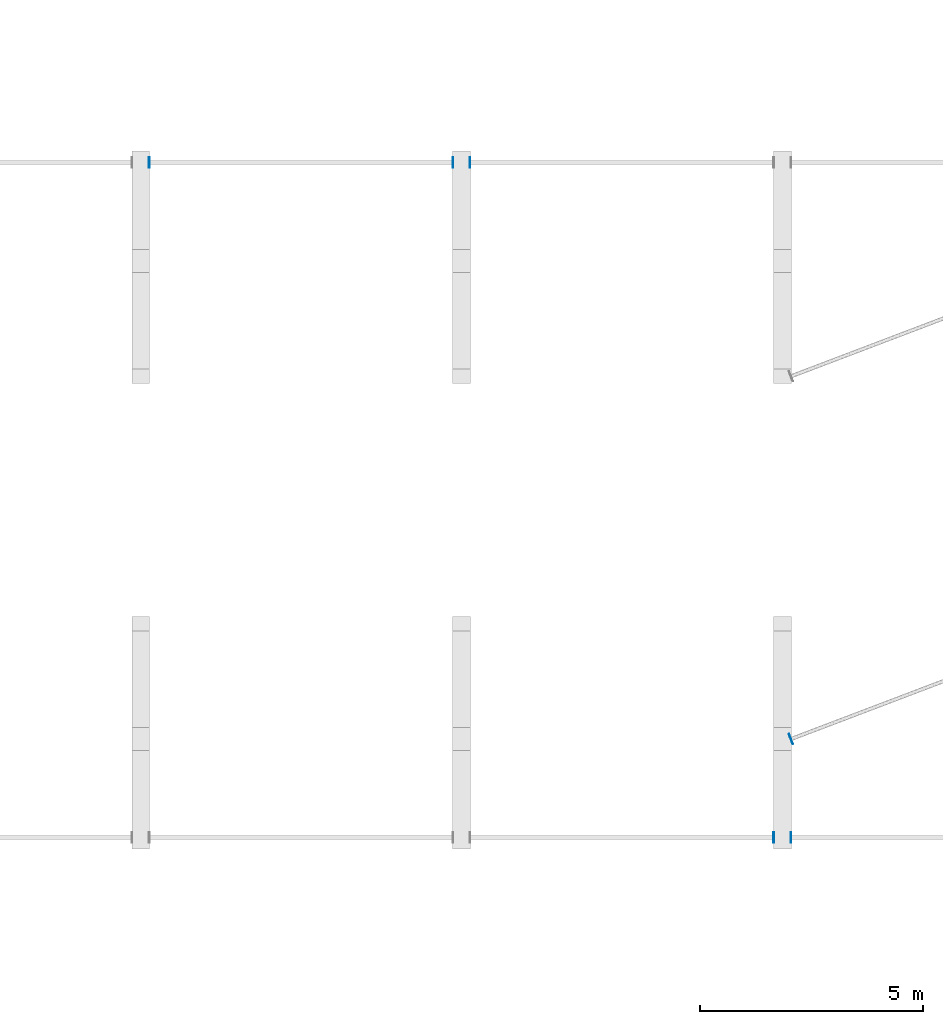
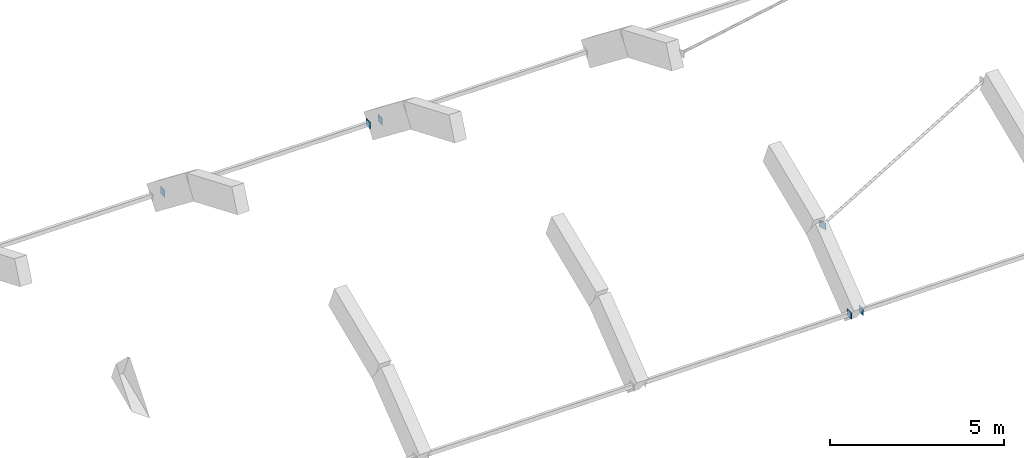
# One storey, part 29 of 64: 6 plates.
"""IFC4 building model written with IfcOpenShell, lengths in metres."""

from ifc_helpers import new_model, si_unit, direction, frame, origin, origin_2d, place, context, subcontext, project, spatial, rectangle, extrude, material, layer, layer_set, type_object, element, save


model = new_model("IFC4")

# Units and contexts
model_context = context("Model", 3, precision=1e-05, world=origin(), true_north=direction((0.0, 1.0)))
body_context = subcontext(model_context, "Body", "Model", "MODEL_VIEW")
ifc_project = project(units=[si_unit("LENGTHUNIT", "METRE"), si_unit("AREAUNIT", "SQUARE_METRE"), si_unit("VOLUMEUNIT", "CUBIC_METRE"), si_unit("PLANEANGLEUNIT", "RADIAN"), si_unit("MASSUNIT", "GRAM", prefix="KILO")], contexts=[model_context])

# Site, building, storey
site_placement = place(None, origin())
site = spatial("IfcSite", under=ifc_project, at=site_placement, CompositionType="ELEMENT")
building_placement = place(site_placement, origin())
building = spatial("IfcBuilding", under=site, at=building_placement, Name="Ochrevale Crest", CompositionType="ELEMENT")
storey_placement = place(building_placement, frame((0.0, 0.0, 8.699951171875)))
storey = spatial("IfcBuildingStorey", under=building, at=storey_placement, Name="L02", CompositionType="ELEMENT", Elevation=8.699951171875)

# Plates
ifc_material = material(Name="Steel S355", Category="steel")
ifc_layer = layer(ifc_material, 0.01611328125)
ifc_layer_set = layer_set([ifc_layer], Name="Steel S355")
plate_type = type_object("IfcPlateType", Name="PLT-CAP-16", PredefinedType="USERDEFINED", material=ifc_layer_set)
for number, where, z_axis, x_axis, name in (
    (1, (86.592041015625, 61.57373046875, 0.77294921875), (0.0, 0.0, 1.0), (1.0, 0.0, 0.0), "Vault longitudinal steel purlin B5-8 welded end cap plate CS"),
    (2, (93.407958984375, 61.57373046875, 0.77294921875), (0.0, 0.0, 1.0), (1.0, 0.0, 0.0), "Vault longitudinal steel purlin B5-8 welded end cap plate CE"),
    (3, (100.60791015625, 46.42626953125, 0.77294921875), (0.0, 0.0, 1.0), (1.0, 0.0, 0.0), "Vault longitudinal steel purlin B6-2 welded end cap plate CE"),
    (4, (93.7919921875, 61.57373046875, 0.77294921875), (0.0, 0.0, 1.0), (1.0, 0.0, 0.0), "Vault longitudinal steel purlin B6-8 welded end cap plate CS"),
    (5, (100.991943359375, 46.42626953125, 0.77294921875), (0.0, 0.0, 1.0), (1.0, 0.0, 0.0), "Vault longitudinal steel purlin B7-2 welded end cap plate CS"),
    (6, (100.99267578125, 48.63525390625, 2.412109375), (0.0, 0.0, 1.0), (0.934763684301, 0.355270114859, 0.0), "Community Hall vault CHS lateral brace B7-3 welded end cap plate CS"),
):
    element("IfcPlate", number, at=place(storey_placement, frame(where, z_axis=z_axis, x_axis=x_axis)), inside=storey, type_object=plate_type, Name=name, ObjectType="CAP PLATE", PredefinedType="USERDEFINED", context=body_context, shape_type="SweptSolid", body=[
        extrude(rectangle(XDim=0.01611328125, YDim=0.239990234375, at=origin_2d()), origin(), (0.0, 0.0, 1.0), 0.239990234375),
    ])

save(model, "model.ifc")
